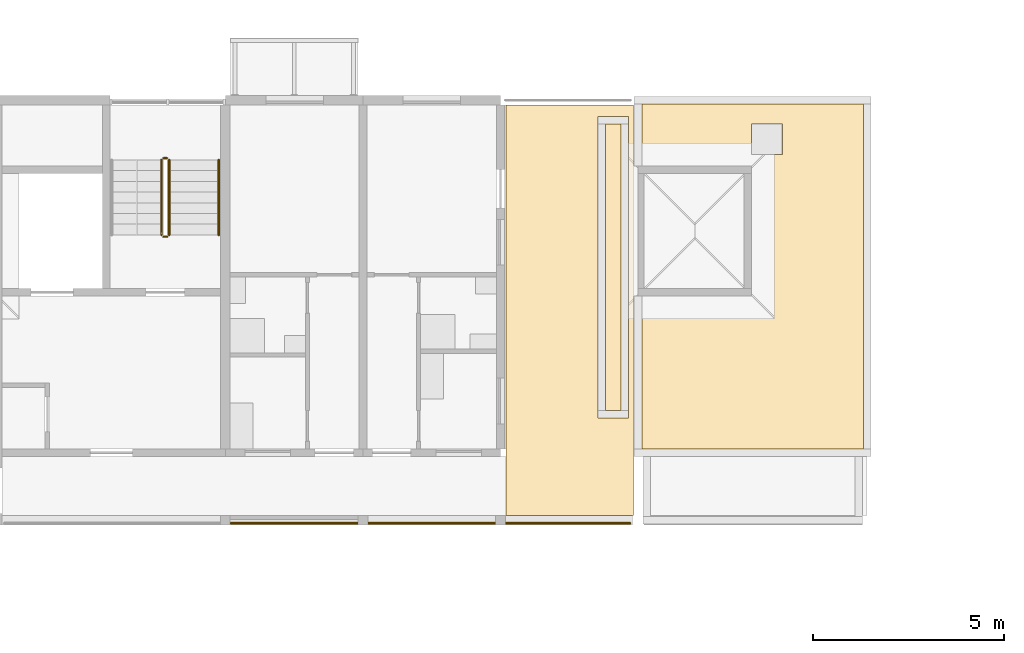
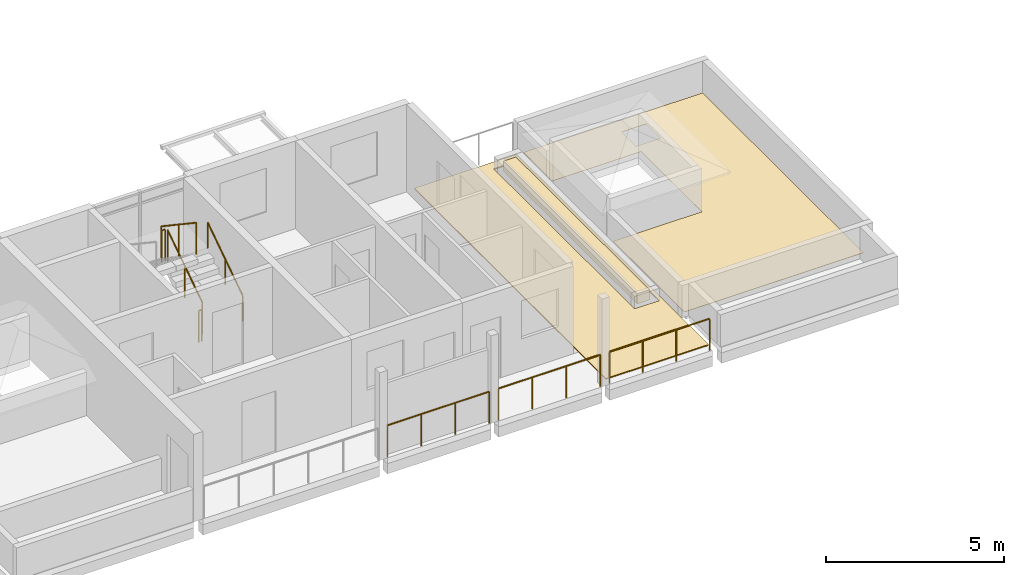
# One storey, part 72 of 78: 8 railings, 4 coverings.
"""IFC4 building model written with IfcOpenShell, lengths in metres."""

from ifc_helpers import new_model, si_unit, direction, frame, origin, origin_2d, place, context, subcontext, project, spatial, polyline, circle, outline, extrude, material, layer, layer_set, type_object, element, save


model = new_model("IFC4")

# Units and contexts
model_context = context("Model", 3, precision=1e-05, world=origin(), true_north=direction((0.0, 1.0)))
body_context = subcontext(model_context, "Body", "Model", "MODEL_VIEW")
ifc_project = project(units=[si_unit("LENGTHUNIT", "METRE"), si_unit("AREAUNIT", "SQUARE_METRE"), si_unit("VOLUMEUNIT", "CUBIC_METRE"), si_unit("PLANEANGLEUNIT", "RADIAN"), si_unit("MASSUNIT", "GRAM", prefix="KILO")], contexts=[model_context])

# Site, building, storey
site_placement = place(None, origin())
site = spatial("IfcSite", under=ifc_project, at=site_placement, CompositionType="ELEMENT")
building_placement = place(site_placement, origin())
building = spatial("IfcBuilding", under=site, at=building_placement, Name="Ridgestep Commons", CompositionType="ELEMENT")
storey_placement = place(building_placement, frame((0.0, 0.0, 30.0)))
storey = spatial("IfcBuildingStorey", under=building, at=storey_placement, Name="L10", CompositionType="ELEMENT", Elevation=30.0)

# Railings
ifc_material_1 = material(Name="Structural steel S355JR", Category="steel")
railing_type_1 = type_object("IfcRailingType", Name="Guard 1100", PredefinedType="GUARDRAIL", material=ifc_material_1)
for number, where, name in (
    (1, (186.5458984375, 66.050048828125, 0.0), "Gallery guard C 10.3"),
    (2, (190.14599609375, 66.050048828125, 0.0), "Gallery guard C 10.4"),
):
    element("IfcRailing", number, at=place(storey_placement, frame(where)), inside=storey, type_object=railing_type_1, Name=name, PredefinedType="GUARDRAIL", context=body_context, shape_type="SweptSolid", body=[
        extrude(circle(Radius=0.02392578125, at=origin_2d()), frame((0.0, 0.0, 1.076171875), z_axis=(1.0, 0.0, 0.0), x_axis=(0.0, 1.0, 0.0)), (0.0, 0.0, 1.0), 3.30810546875),
        extrude(circle(Radius=0.02099609375, at=origin_2d()), origin(), (0.0, 0.0, 1.0), 1.052001953125),
        extrude(circle(Radius=0.02099609375, at=origin_2d()), frame((1.102783203125, 0.0, 0.0)), (0.0, 0.0, 1.0), 1.052001953125),
        extrude(circle(Radius=0.02099609375, at=origin_2d()), frame((2.205322265625, 0.0, 0.0)), (0.0, 0.0, 1.0), 1.052001953125),
        extrude(circle(Radius=0.02099609375, at=origin_2d()), frame((3.30810546875, 0.0, 0.0)), (0.0, 0.0, 1.0), 1.052001953125),
    ])
railing_1_placement = place(storey_placement, frame((193.74609375, 66.050048828125, 0.0)))
element("IfcRailing", 3, at=railing_1_placement, inside=storey, type_object=railing_type_1, Name="Gallery guard C 10.5", PredefinedType="GUARDRAIL", context=body_context, shape_type="SweptSolid", body=[
    extrude(circle(Radius=0.02392578125, at=origin_2d()), frame((0.0, 0.0, 1.076171875), z_axis=(1.0, 0.0, 0.0), x_axis=(0.0, 1.0, 0.0)), (0.0, 0.0, 1.0), 3.242919921875),
    extrude(circle(Radius=0.02099609375, at=origin_2d()), origin(), (0.0, 0.0, 1.0), 1.052001953125),
    extrude(circle(Radius=0.02099609375, at=origin_2d()), frame((1.0810546875, 0.0, 0.0)), (0.0, 0.0, 1.0), 1.052001953125),
    extrude(circle(Radius=0.02099609375, at=origin_2d()), frame((2.161865234375, 0.0, 0.0)), (0.0, 0.0, 1.0), 1.052001953125),
    extrude(circle(Radius=0.02099609375, at=origin_2d()), frame((3.242919921875, 0.0, 0.0)), (0.0, 0.0, 1.0), 1.052001953125),
])

# Coverings
ifc_material_2 = material(Name="Planting soil")
ifc_layer_1 = layer(ifc_material_2, 0.35009765625)
ifc_layer_set_1 = layer_set([ifc_layer_1], Name="Planting soil 350")
covering_type_1 = type_object("IfcCoveringType", Name="Planting soil 350", PredefinedType="FLOORING", material=ifc_layer_set_1)
covering_1_placement = place(storey_placement, frame((0.0, 0.0, 0.010009765625)))
element("IfcCovering", 4, at=covering_1_placement, inside=storey, type_object=covering_type_1, Name="Planting soil C3R1", PredefinedType="FLOORING", context=body_context, shape_type="SweptSolid", body=[
    extrude(outline(polyline([(196.35009765625, 69.0), (196.75, 69.0), (196.75, 76.5), (196.35009765625, 76.5), (196.35009765625, 69.0)])), origin(), (0.0, 0.0, 1.0), 0.35009765625),
])
ifc_material_3 = material(Name="Bitumen membrane, two layer")
ifc_layer_2 = layer(ifc_material_3, 0.011962890625)
ifc_layer_set_2 = layer_set([ifc_layer_2], Name="Roof membrane 12")
covering_type_2 = type_object("IfcCoveringType", Name="Roof membrane 12", PredefinedType="ROOFING", material=ifc_layer_set_2)
covering_2_placement = place(storey_placement, origin())
element("IfcCovering", 5, at=covering_2_placement, inside=storey, type_object=covering_type_2, Name="Roof membrane C4C", PredefinedType="ROOFING", context=body_context, shape_type="SweptSolid", body=[
    extrude(outline(polyline([(203.10009765625, 77.02490234375), (203.10009765625, 68.0), (197.300048828125, 68.0), (197.300048828125, 72.0), (200.175048828125, 72.0), (200.175048828125, 75.39990234375), (197.300048828125, 75.39990234375), (197.300048828125, 77.02490234375), (203.10009765625, 77.02490234375)]), holes=[polyline([(200.97509765625, 76.5), (200.175048828125, 76.5), (200.175048828125, 75.699951171875), (200.97509765625, 75.699951171875), (200.97509765625, 76.5)])]), origin(), (0.0, 0.0, 1.0), 0.011962890625),
])

# Railings
ifc_material_4 = material(Name="Structural steel S355JR", Category="steel")
railing_type_2 = type_object("IfcRailingType", Name="Stair guard 1100", PredefinedType="GUARDRAIL", material=ifc_material_4)
railing_2_placement = place(storey_placement, frame((184.925048828125, 73.60009765625, 0.1875)))
element("IfcRailing", 6, at=railing_2_placement, inside=storey, type_object=railing_type_2, Name="L10 C3C stair guard 1", PredefinedType="GUARDRAIL", context=body_context, shape_type="SweptSolid", body=[
    extrude(circle(Radius=0.02392578125, at=origin_2d()), frame((0.0, 0.0, 1.076171875), z_axis=(0.0, 0.830902050051, 0.556418712142), x_axis=(-1.0, 0.0, 0.0)), (0.0, 0.0, 1.0), 2.35888671875),
    extrude(circle(Radius=0.02099609375, at=origin_2d()), origin(), (0.0, 0.0, 1.0), 1.052001953125),
    extrude(circle(Radius=0.02099609375, at=origin_2d()), frame((0.0, 0.97998046875, 0.65625)), (0.0, 0.0, 1.0), 1.052001953125),
    extrude(circle(Radius=0.02099609375, at=origin_2d()), frame((0.0, 1.9599609375, 1.3125)), (0.0, 0.0, 1.0), 1.052001953125),
])
railing_3_placement = place(storey_placement, frame((184.875, 75.610107421875, 1.5)))
element("IfcRailing", 7, at=railing_3_placement, inside=storey, type_object=railing_type_2, Name="L10 C3C stair guard 2", PredefinedType="GUARDRAIL", context=body_context, shape_type="SweptSolid", body=[
    extrude(circle(Radius=0.02392578125, at=origin_2d()), frame((0.0, 0.0, 1.076171875), z_axis=(-1.0, 0.0, 0.0), x_axis=(0.0, -1.0, 0.0)), (0.0, 0.0, 1.0), 0.10009765625),
    extrude(circle(Radius=0.02099609375, at=origin_2d()), origin(), (0.0, 0.0, 1.0), 1.052001953125),
    extrude(circle(Radius=0.02099609375, at=origin_2d()), frame((-0.10009765625, 0.0, 0.0)), (0.0, 0.0, 1.0), 1.052001953125),
])
railing_4_placement = place(storey_placement, frame((184.72509765625, 75.56005859375, 1.6875)))
element("IfcRailing", 8, at=railing_4_placement, inside=storey, type_object=railing_type_2, Name="L10 C3C stair guard 3", PredefinedType="GUARDRAIL", context=body_context, shape_type="SweptSolid", body=[
    extrude(circle(Radius=0.02392578125, at=origin_2d()), frame((0.0, 0.0, 1.076171875), z_axis=(0.0, -0.830902050051, 0.556418712142), x_axis=(1.0, 0.0, 0.0)), (0.0, 0.0, 1.0), 2.35888671875),
    extrude(circle(Radius=0.02099609375, at=origin_2d()), origin(), (0.0, 0.0, 1.0), 1.052001953125),
    extrude(circle(Radius=0.02099609375, at=origin_2d()), frame((0.0, -0.97998046875, 0.65625)), (0.0, 0.0, 1.0), 1.052001953125),
    extrude(circle(Radius=0.02099609375, at=origin_2d()), frame((0.0, -1.9599609375, 1.3125)), (0.0, 0.0, 1.0), 1.052001953125),
])
railing_5_placement = place(storey_placement, frame((184.875, 73.550048828125, 0.0)))
element("IfcRailing", 9, at=railing_5_placement, inside=storey, type_object=railing_type_2, Name="L10 C3C stair guard 4", PredefinedType="GUARDRAIL", context=body_context, shape_type="SweptSolid", body=[
    extrude(circle(Radius=0.02392578125, at=origin_2d()), frame((0.0, 0.0, 1.076171875), z_axis=(-1.0, 0.0, 0.0), x_axis=(0.0, -1.0, 0.0)), (0.0, 0.0, 1.0), 0.10009765625),
    extrude(circle(Radius=0.02099609375, at=origin_2d()), origin(), (0.0, 0.0, 1.0), 1.052001953125),
    extrude(circle(Radius=0.02099609375, at=origin_2d()), frame((-0.10009765625, 0.0, 0.0)), (0.0, 0.0, 1.0), 1.052001953125),
])
ifc_material_5 = material(Name="Structural steel S355JR", Category="steel")
railing_type_3 = type_object("IfcRailingType", Name="Stair handrail 900", PredefinedType="HANDRAIL", material=ifc_material_5)
railing_6_placement = place(storey_placement, frame((186.22509765625, 73.60009765625, 0.1875)))
element("IfcRailing", 10, at=railing_6_placement, inside=storey, type_object=railing_type_3, Name="L10 C3C stair handrail 1", PredefinedType="HANDRAIL", context=body_context, shape_type="SweptSolid", body=[
    extrude(circle(Radius=0.02392578125, at=origin_2d()), frame((0.0, 0.0, 0.8759765625), z_axis=(0.0, 0.830902050051, 0.556418712142), x_axis=(-1.0, 0.0, 0.0)), (0.0, 0.0, 1.0), 2.35888671875),
    extrude(circle(Radius=0.02099609375, at=origin_2d()), origin(), (0.0, 0.0, 1.0), 0.851806640625),
    extrude(circle(Radius=0.02099609375, at=origin_2d()), frame((0.0, 0.97998046875, 0.65625)), (0.0, 0.0, 1.0), 0.851806640625),
    extrude(circle(Radius=0.02099609375, at=origin_2d()), frame((0.0, 1.9599609375, 1.3125)), (0.0, 0.0, 1.0), 0.851806640625),
])

# Coverings
ifc_material_6 = material(Name="Bitumen membrane, two layer")
ifc_layer_3 = layer(ifc_material_6, 0.010009765625)
ifc_layer_set_3 = layer_set([ifc_layer_3], Name="Terrace membrane 10")
covering_type_3 = type_object("IfcCoveringType", Name="Terrace membrane 10", PredefinedType="ROOFING", material=ifc_layer_set_3)
covering_3_placement = place(storey_placement, origin())
element("IfcCovering", 11, at=covering_3_placement, inside=storey, type_object=covering_type_3, Name="Terrace membrane C3R1", PredefinedType="ROOFING", context=body_context, shape_type="SweptSolid", body=[
    extrude(outline(polyline([(197.074951171875, 66.25), (197.074951171875, 77.0), (193.75, 77.0), (193.75, 66.25), (197.074951171875, 66.25)]), holes=[polyline([(196.949951171875, 68.800048828125), (196.949951171875, 76.699951171875), (196.14990234375, 76.699951171875), (196.14990234375, 68.800048828125), (196.949951171875, 68.800048828125)])]), origin(), (0.0, 0.0, 1.0), 0.010009765625),
])
ifc_material_7 = material(Name="Concrete paving slab", Category="concrete")
ifc_layer_4 = layer(ifc_material_7, 0.030029296875)
ifc_layer_set_4 = layer_set([ifc_layer_4], Name="Terrace paving 30")
covering_type_4 = type_object("IfcCoveringType", Name="Terrace paving 30", PredefinedType="FLOORING", material=ifc_layer_set_4)
covering_4_placement = place(storey_placement, frame((0.0, 0.0, 0.010009765625)))
element("IfcCovering", 12, at=covering_4_placement, inside=storey, type_object=covering_type_4, Name="Terrace paving C3R1", PredefinedType="FLOORING", context=body_context, shape_type="SweptSolid", body=[
    extrude(outline(polyline([(197.074951171875, 66.25), (197.074951171875, 77.0), (193.75, 77.0), (193.75, 66.25), (197.074951171875, 66.25)]), holes=[polyline([(196.949951171875, 68.800048828125), (196.949951171875, 76.699951171875), (196.14990234375, 76.699951171875), (196.14990234375, 68.800048828125), (196.949951171875, 68.800048828125)])]), origin(), (0.0, 0.0, 1.0), 0.030029296875),
])

save(model, "model.ifc")
